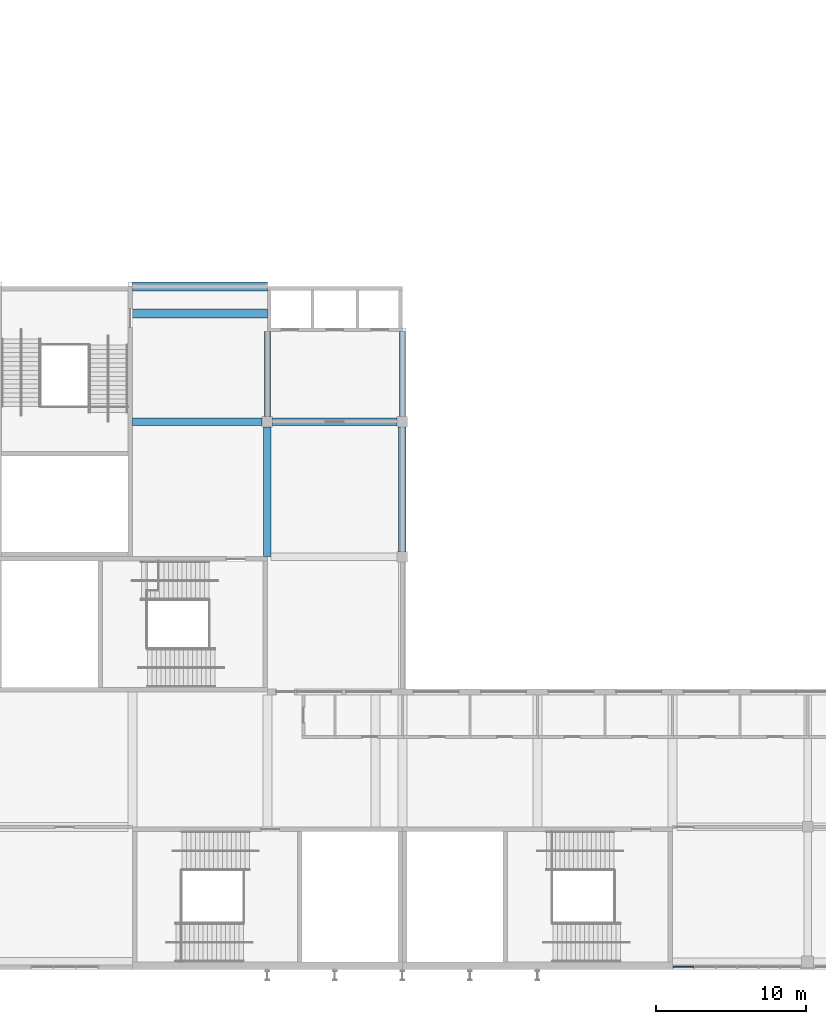
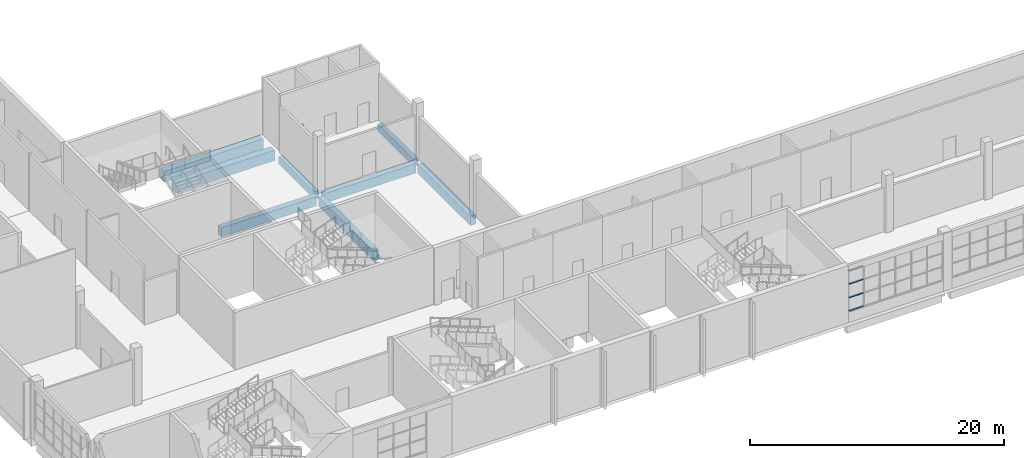
# One storey, part 7 of 84: 8 beams, 4 members, 1 element without a shape of its own.
"""IFC4 building model written with IfcOpenShell, lengths in metres."""

import ifcopenshell
import ifcopenshell.guid

model = None  # the IFC model being written
_history = None  # IfcOwnerHistory: only IFC2X3 demands one
_inside = {}  # id of a spatial element -> (the spatial element, [elements in it])
_under = {}  # id of a project, library or spatial element -> (it, [spatial elements below it])
_declared = {}  # id of a project -> (the project, [libraries it declares])
_typed = {}  # id of a type object -> (the type object, [elements of that type])
_made_of = {}  # id of a material, layer set ... -> (it, [elements and type objects made of it])


def new_model(schema):
    """Start an empty IFC model of exactly this schema.

    Asked for "IFC4X3", IfcOpenShell would pick the latest addendum, in which some entities
    have other attributes; the version numbers below select the first issue.
    IFC2X3 requires an IfcOwnerHistory on every rooted entity: one is made here for all.
    """
    global model, _history
    if schema == "IFC4X3":
        model = ifcopenshell.file(schema_version=(4, 3, 0, 0))
    else:
        model = ifcopenshell.file(schema=schema)
    _inside.clear()
    _under.clear()
    _declared.clear()
    _typed.clear()
    _made_of.clear()
    _history = None
    if model.schema == "IFC2X3":
        org = make("IfcOrganization", Name="unknown")
        user = make(
            "IfcPersonAndOrganization",
            ThePerson=make("IfcPerson", FamilyName="unknown"),
            TheOrganization=org,
        )
        app = make(
            "IfcApplication",
            ApplicationDeveloper=org,
            Version="unknown",
            ApplicationFullName="unknown",
            ApplicationIdentifier="unknown",
        )
        _history = make(
            "IfcOwnerHistory",
            OwningUser=user,
            OwningApplication=app,
            ChangeAction="ADDED",
            CreationDate=0,
        )
    return model


def make(cls, **values):
    """One entity of the class cls with the attributes given. An attribute that is None is left unset."""
    return model.create_entity(
        cls, **{name: value for name, value in values.items() if value is not None}
    )


def rooted(cls, **values):
    """An entity with a GlobalId (a new one), such as an element, a storey or a relation."""
    return make(cls, GlobalId=ifcopenshell.guid.new(), OwnerHistory=_history, **values)


def si_unit(unit_type, name, prefix=None):
    """IfcSIUnit, for example si_unit("LENGTHUNIT", "METRE", prefix="MILLI")."""
    return make("IfcSIUnit", UnitType=unit_type, Prefix=prefix, Name=name)


def assignment(units):
    """IfcUnitAssignment: the units of a project."""
    return None if units is None else make("IfcUnitAssignment", Units=units)


def point(xyz):
    """IfcCartesianPoint."""
    return None if xyz is None else make("IfcCartesianPoint", Coordinates=xyz)


def direction(xyz):
    """IfcDirection."""
    return None if xyz is None else make("IfcDirection", DirectionRatios=xyz)


def frame(location, z_axis=None, x_axis=None):
    """IfcAxis2Placement3D, a coordinate frame: its origin and axes. An axis left out is left unset."""
    return make(
        "IfcAxis2Placement3D",
        Location=point(location),
        Axis=direction(z_axis),
        RefDirection=direction(x_axis),
    )


def frame_2d(location, x_axis=None):
    """IfcAxis2Placement2D, a coordinate frame in the plane: its origin and x axis."""
    return make(
        "IfcAxis2Placement2D", Location=point(location), RefDirection=direction(x_axis)
    )


def origin():
    """The frame at (0, 0, 0) with its axes left unset."""
    return frame((0.0, 0.0, 0.0))


def origin_2d():
    """The frame at (0, 0) in the plane with its x axis left unset."""
    return frame_2d((0.0, 0.0))


def place(relative_to, where):
    """IfcLocalPlacement: puts the frame where relative to a parent placement (None: the world)."""
    return make(
        "IfcLocalPlacement", PlacementRelTo=relative_to, RelativePlacement=where
    )


def context(
    kind, dimensions, precision=None, world=None, true_north=None, identifier=None
):
    """IfcGeometricRepresentationContext, for example the 3D "Model" context."""
    return make(
        "IfcGeometricRepresentationContext",
        ContextIdentifier=identifier,
        ContextType=kind,
        CoordinateSpaceDimension=dimensions,
        Precision=precision,
        WorldCoordinateSystem=world,
        TrueNorth=true_north,
    )


def subcontext(parent, identifier, kind, view, scale=None):
    """IfcGeometricRepresentationSubContext, for example "Body" below "Model"."""
    return make(
        "IfcGeometricRepresentationSubContext",
        ContextIdentifier=identifier,
        ContextType=kind,
        ParentContext=parent,
        TargetScale=scale,
        TargetView=view,
    )


def project(units=None, contexts=None):
    """IfcProject with its units and contexts."""
    return rooted(
        "IfcProject",
        Name="project",
        RepresentationContexts=contexts,
        UnitsInContext=assignment(units),
    )


def spatial(cls, under=None, at=None, **own):
    """A site, building, storey or space (cls), placed at a placement, below another one or the project."""
    s = rooted(cls, ObjectPlacement=at, **own)
    if under is not None:
        _under.setdefault(under.id(), (under, []))[1].append(s)
    return s


def profile(cls, at=None, kind="AREA", **sizes):
    """A parametric profile (cls). Its sizes go by their IFC names, for example OverallWidth=200.0."""
    return make(cls, ProfileType=kind, Position=at, **sizes)


def rectangle(**sizes):
    """IfcRectangleProfileDef."""
    return profile("IfcRectangleProfileDef", **sizes)


def extrude(swept, where, along, depth):
    """IfcExtrudedAreaSolid: the profile swept, set in the frame where, extruded along a direction by depth."""
    return make(
        "IfcExtrudedAreaSolid",
        SweptArea=swept,
        Position=where,
        ExtrudedDirection=direction(along),
        Depth=depth,
    )


def shape(context_of_items, identifier, shape_type, items):
    """IfcShapeRepresentation: the items that make up one representation, for example the "Body"."""
    return make(
        "IfcShapeRepresentation",
        ContextOfItems=context_of_items,
        RepresentationIdentifier=identifier,
        RepresentationType=shape_type,
        Items=items,
    )


def material(Name=None, Category=None):
    """IfcMaterial."""
    return make("IfcMaterial", Name=Name, Category=Category)


def material_profile(
    of_material, cross_section, Name=None, Category=None, Priority=None
):
    """IfcMaterialProfile: a cross section and its material."""
    return make(
        "IfcMaterialProfile",
        Name=Name,
        Material=of_material,
        Profile=cross_section,
        Priority=Priority,
        Category=Category,
    )


def profile_set(profiles, Name=None, composite=None):
    """IfcMaterialProfileSet."""
    return make(
        "IfcMaterialProfileSet",
        Name=Name,
        MaterialProfiles=profiles,
        CompositeProfile=composite,
    )


def made_of(thing, what):
    """Note that an element or type object is made of a material, layer set ...; save() writes the relation."""
    if what is not None:
        _made_of.setdefault(what.id(), (what, []))[1].append(thing)
    return thing


def type_object(cls, material=None, **own):
    """A type object (cls), such as IfcWallType, which elements share."""
    return made_of(rooted(cls, **own), material)


def element(
    cls,
    number,
    at=None,
    inside=None,
    cuts=None,
    type_object=None,
    material=None,
    context=None,
    identifier="Body",
    shape_type=None,
    held_by="IfcProductDefinitionShape",
    body=None,
    shapes=None,
    **own,
):
    """One element of the class cls, such as IfcWall. Its Tag is "e" and its number.

    at: its placement. inside: the storey or other place that contains it. cuts: it is an
    opening in that element (IfcRelVoidsElement). A single representation is given by context,
    identifier, shape_type and body (its items); several are given by shapes. held_by: the class
    of the entity that holds the representations. save() writes the other relations.
    """
    e = rooted(cls, Tag="e%d" % number, ObjectPlacement=at, **own)
    if body is not None:
        shapes = [shape(context, identifier, shape_type, body)]
    if shapes is not None:
        e.Representation = make(held_by, Representations=shapes)
    if inside is not None:
        _inside.setdefault(inside.id(), (inside, []))[1].append(e)
    if cuts is not None:
        rooted(
            "IfcRelVoidsElement", RelatingBuildingElement=cuts, RelatedOpeningElement=e
        )
    if type_object is not None:
        _typed.setdefault(type_object.id(), (type_object, []))[1].append(e)
    return made_of(e, material)


def aggregate(whole, parts):
    """IfcRelAggregates: a whole, such as a stair, and the parts it consists of."""
    return rooted("IfcRelAggregates", RelatingObject=whole, RelatedObjects=parts)


def save(model, path):
    """Write the relations noted so far, then the file.

    IfcRelAggregates (storeys below a building ...), IfcRelContainedInSpatialStructure (elements
    in a storey), IfcRelDefinesByType, IfcRelAssociatesMaterial and IfcRelDeclares: one each for
    every whole, place, type object, material and project.
    """
    for whole, parts in _under.values():
        aggregate(whole, parts)
    for where, things in _inside.values():
        rooted(
            "IfcRelContainedInSpatialStructure",
            RelatedElements=things,
            RelatingStructure=where,
        )
    for kind, things in _typed.values():
        rooted("IfcRelDefinesByType", RelatedObjects=things, RelatingType=kind)
    for what, things in _made_of.values():
        rooted("IfcRelAssociatesMaterial", RelatedObjects=things, RelatingMaterial=what)
    for by, libraries in _declared.values():
        rooted("IfcRelDeclares", RelatingContext=by, RelatedDefinitions=libraries)
    model.write(path)


model = new_model("IFC4")

# Units and contexts
model_context = context("Model", 3, precision=1e-05, world=origin(), true_north=direction((0.0, 1.0)))
body_context = subcontext(model_context, "Body", "Model", "MODEL_VIEW")
ifc_project = project(units=[si_unit("LENGTHUNIT", "METRE"), si_unit("AREAUNIT", "SQUARE_METRE"), si_unit("VOLUMEUNIT", "CUBIC_METRE"), si_unit("PLANEANGLEUNIT", "RADIAN"), si_unit("MASSUNIT", "GRAM", prefix="KILO")], contexts=[model_context])

# Site, building, storey
site_placement = place(None, origin())
site = spatial("IfcSite", under=ifc_project, at=site_placement, CompositionType="ELEMENT")
building_placement = place(site_placement, origin())
building = spatial("IfcBuilding", under=site, at=building_placement, Name="Silverbay Arena", CompositionType="ELEMENT")
storey_placement = place(building_placement, frame((0.0, 0.0, 28.0)))
storey = spatial("IfcBuildingStorey", under=building, at=storey_placement, Name="L04", CompositionType="ELEMENT", Elevation=28.0)

# Beams
ifc_material_1 = material(Name="Concrete Grade C45", Category="concrete")
ifc_material_profile_1 = material_profile(ifc_material_1, rectangle(XDim=0.39990234375, YDim=0.699951171875, at=origin_2d()), Name="RC 400x700")
ifc_profile_set_1 = profile_set([ifc_material_profile_1], Name="Concrete Grade C45")
beam_type_1 = type_object("IfcBeamType", Name="RC beam 400x700", PredefinedType="BEAM", material=ifc_profile_set_1)
for number, where, z_axis, x_axis, name in (
    (1, (90.0, 54.35009765625, -0.64990234375), (0.0, 1.0, 0.0), (-1.0, 0.0, 0.0), "Floor beam L04 097"),
    (2, (99.0, 54.35009765625, -0.64990234375), (0.0, 1.0, 0.0), (-1.0, 0.0, 0.0), "Floor beam L04 106"),
):
    element("IfcBeam", number, at=place(storey_placement, frame(where, z_axis=z_axis, x_axis=x_axis)), inside=storey, type_object=beam_type_1, Name=name, PredefinedType="BEAM", context=body_context, shape_type="SweptSolid", body=[
        extrude(rectangle(XDim=0.39990234375, YDim=0.699951171875, at=origin_2d()), origin(), (0.0, 0.0, 1.0), 5.64990234375),
    ])
ifc_material_2 = material(Name="Concrete Grade C45", Category="concrete")
ifc_material_profile_2 = material_profile(ifc_material_2, rectangle(XDim=0.5, YDim=0.89990234375, at=origin_2d()), Name="RC 500x900")
ifc_profile_set_2 = profile_set([ifc_material_profile_2], Name="Concrete Grade C45")
beam_type_2 = type_object("IfcBeamType", Name="RC beam 500x900", PredefinedType="BEAM", material=ifc_profile_set_2)
beam_1_placement = place(storey_placement, frame((81.0, 54.0, -0.75), z_axis=(1.0, 0.0, 0.0), x_axis=(0.0, 1.0, 0.0)))
element("IfcBeam", 3, at=beam_1_placement, inside=storey, type_object=beam_type_2, Name="Floor beam L04 022", PredefinedType="BEAM", context=body_context, shape_type="SweptSolid", body=[
    extrude(rectangle(XDim=0.5, YDim=0.89990234375, at=origin_2d()), origin(), (0.0, 0.0, 1.0), 8.64990234375),
])
beam_2_placement = place(storey_placement, frame((90.35009765625, 54.0, -0.75), z_axis=(1.0, 0.0, 0.0), x_axis=(0.0, 1.0, 0.0)))
element("IfcBeam", 4, at=beam_2_placement, inside=storey, type_object=beam_type_2, Name="Floor beam L04 023", PredefinedType="BEAM", context=body_context, shape_type="SweptSolid", body=[
    extrude(rectangle(XDim=0.5, YDim=0.89990234375, at=origin_2d()), origin(), (0.0, 0.0, 1.0), 8.2998046875),
])
beam_3_placement = place(storey_placement, frame((90.0, 45.0, -0.75), z_axis=(0.0, 1.0, 0.0), x_axis=(-1.0, 0.0, 0.0)))
element("IfcBeam", 5, at=beam_3_placement, inside=storey, type_object=beam_type_2, Name="Floor beam L04 096", PredefinedType="BEAM", context=body_context, shape_type="SweptSolid", body=[
    extrude(rectangle(XDim=0.5, YDim=0.89990234375, at=origin_2d()), origin(), (0.0, 0.0, 1.0), 8.64990234375),
])
beam_4_placement = place(storey_placement, frame((99.0, 45.35009765625, -0.75), z_axis=(0.0, 1.0, 0.0), x_axis=(-1.0, 0.0, 0.0)))
element("IfcBeam", 6, at=beam_4_placement, inside=storey, type_object=beam_type_2, Name="Floor beam L04 105", PredefinedType="BEAM", context=body_context, shape_type="SweptSolid", body=[
    extrude(rectangle(XDim=0.5, YDim=0.89990234375, at=origin_2d()), origin(), (0.0, 0.0, 1.0), 8.2998046875),
])
ifc_material_3 = material(Name="Concrete Grade C45", Category="concrete")
ifc_material_profile_3 = material_profile(ifc_material_3, rectangle(XDim=0.60009765625, YDim=1.0, at=origin_2d()), Name="RC 600x1000")
ifc_profile_set_3 = profile_set([ifc_material_profile_3], Name="Concrete Grade C45")
beam_type_3 = type_object("IfcBeamType", Name="RC beam 600x1000", PredefinedType="BEAM", material=ifc_profile_set_3)
for number, where, z_axis, x_axis, name in (
    (7, (81.0, 61.199951171875, -0.800048828125), (1.0, 0.0, 0.0), (0.0, 1.0, 0.0), "Floor beam L04 028"),
    (8, (81.0, 63.0, -0.800048828125), (1.0, 0.0, 0.0), (0.0, 1.0, 0.0), "Floor beam L04 032"),
):
    element("IfcBeam", number, at=place(storey_placement, frame(where, z_axis=z_axis, x_axis=x_axis)), inside=storey, type_object=beam_type_3, Name=name, PredefinedType="BEAM", context=body_context, shape_type="SweptSolid", body=[
        extrude(rectangle(XDim=0.60009765625, YDim=1.0, at=origin_2d()), origin(), (0.0, 0.0, 1.0), 9.0),
    ])

# Curtain wall, members
ifc_material_4 = material(Name="Aluminium framed curtain wall", Category="aluminium")
curtain_wall_type = type_object("IfcCurtainWallType", Name="Curtain wall 8600 x 3900", PredefinedType="NOTDEFINED", material=ifc_material_4)
curtain_wall_placement = place(storey_placement, origin())
curtain_wall = element("IfcCurtainWall", 9, at=curtain_wall_placement, inside=storey, type_object=curtain_wall_type, Name="South curtain wall L04 bay 8", PredefinedType="NOTDEFINED")
ifc_material_5 = material(Name="Aluminium", Category="aluminium")
ifc_material_profile_4 = material_profile(ifc_material_5, rectangle(XDim=0.1201171875, YDim=0.050048828125, at=origin_2d()), Name="Transom 50 x 120")
ifc_profile_set_4 = profile_set([ifc_material_profile_4], Name="Aluminium")
member_type = type_object("IfcMemberType", Name="Transom 50 x 120", PredefinedType="USERDEFINED", material=ifc_profile_set_4)
member_1_placement = place(storey_placement, frame((117.06005859375, 17.669921875, 1.02490234375), z_axis=(1.0, 0.0, 0.0), x_axis=(0.0, 1.0, 0.0)))
member_1 = element("IfcMember", 10, at=member_1_placement, type_object=member_type, Name="CW1 transom 1.1", ObjectType="TRANSOM", PredefinedType="USERDEFINED", context=body_context, shape_type="SweptSolid", body=[
    extrude(rectangle(XDim=0.1201171875, YDim=0.050048828125, at=origin_2d()), origin(), (0.0, 0.0, 1.0), 1.34326171875),
])
member_2_placement = place(storey_placement, frame((117.06005859375, 17.669921875, 2.300048828125), z_axis=(1.0, 0.0, 0.0), x_axis=(0.0, 1.0, 0.0)))
member_2 = element("IfcMember", 11, at=member_2_placement, type_object=member_type, Name="CW1 transom 1.2", ObjectType="TRANSOM", PredefinedType="USERDEFINED", context=body_context, shape_type="SweptSolid", body=[
    extrude(rectangle(XDim=0.1201171875, YDim=0.050048828125, at=origin_2d()), origin(), (0.0, 0.0, 1.0), 1.34326171875),
])
member_3_placement = place(storey_placement, frame((117.06005859375, 17.669921875, 3.60009765625), z_axis=(1.0, 0.0, 0.0), x_axis=(0.0, 1.0, 0.0)))
member_3 = element("IfcMember", 12, at=member_3_placement, type_object=member_type, Name="CW1 transom 1.3", ObjectType="TRANSOM", PredefinedType="USERDEFINED", context=body_context, shape_type="SweptSolid", body=[
    extrude(rectangle(XDim=0.1201171875, YDim=0.050048828125, at=origin_2d()), origin(), (0.0, 0.0, 1.0), 1.34326171875),
])
member_4_placement = place(storey_placement, frame((117.06005859375, 17.669921875, 4.875), z_axis=(1.0, 0.0, 0.0), x_axis=(0.0, 1.0, 0.0)))
member_4 = element("IfcMember", 13, at=member_4_placement, type_object=member_type, Name="CW1 transom 1.4", ObjectType="TRANSOM", PredefinedType="USERDEFINED", context=body_context, shape_type="SweptSolid", body=[
    extrude(rectangle(XDim=0.1201171875, YDim=0.050048828125, at=origin_2d()), origin(), (0.0, 0.0, 1.0), 1.34326171875),
])
aggregate(curtain_wall, [member_1, member_2, member_3, member_4])

save(model, "model.ifc")
